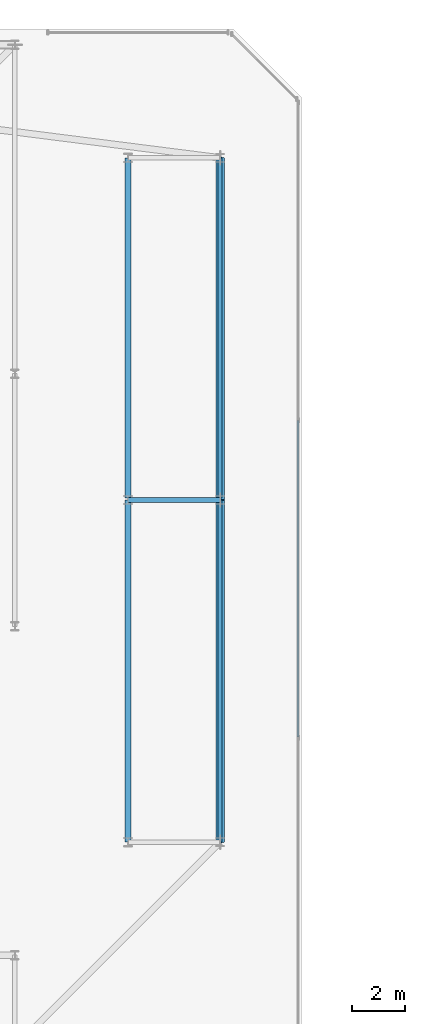
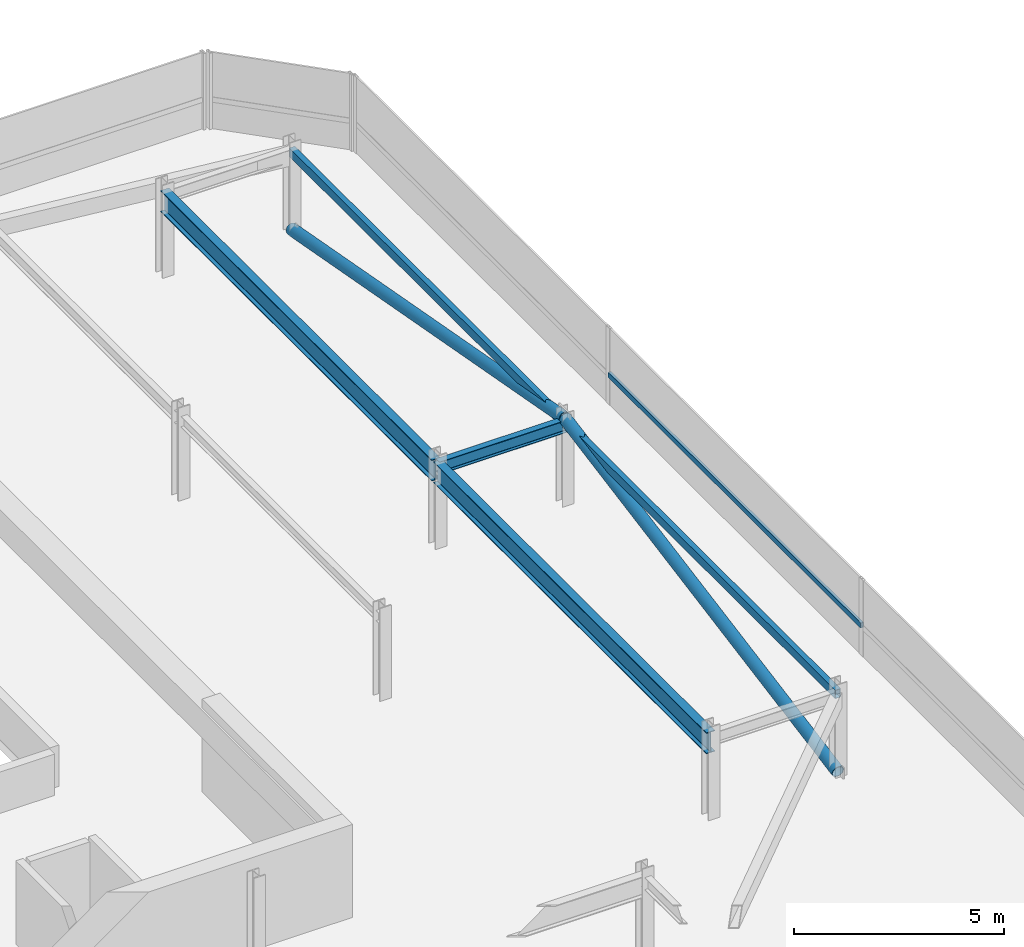
# One storey, part 18 of 42: 5 beams, 3 members, 1 element without a shape of its own.
"""IFC4 building model written with IfcOpenShell, lengths in metres."""

from ifc_helpers import new_model, si_unit, direction, frame, origin, origin_2d, place, context, subcontext, project, spatial, hollow_rectangle, hollow_circle, i_section, extrude, material, material_profile, profile_set, type_object, element, aggregate, save


model = new_model("IFC4")

# Units and contexts
model_context = context("Model", 3, precision=1e-05, world=origin(), true_north=direction((0.0, 1.0)))
body_context = subcontext(model_context, "Body", "Model", "MODEL_VIEW")
ifc_project = project(units=[si_unit("LENGTHUNIT", "METRE"), si_unit("AREAUNIT", "SQUARE_METRE"), si_unit("VOLUMEUNIT", "CUBIC_METRE"), si_unit("PLANEANGLEUNIT", "RADIAN"), si_unit("MASSUNIT", "GRAM", prefix="KILO")], contexts=[model_context])

# Site, building, storey
site_placement = place(None, origin())
site = spatial("IfcSite", under=ifc_project, at=site_placement, CompositionType="ELEMENT")
building_placement = place(site_placement, origin())
building = spatial("IfcBuilding", under=site, at=building_placement, Name="Thornwick Lancets Civic Towers", CompositionType="ELEMENT")
storey_placement = place(building_placement, frame((0.0, 0.0, 284.10009765625)))
storey = spatial("IfcBuildingStorey", under=building, at=storey_placement, Name="C02", CompositionType="ELEMENT", Elevation=284.10009765625)

# Beams
ifc_material_1 = material(Name="Steel S355JR", Category="steel")
ifc_material_profile_1 = material_profile(ifc_material_1, hollow_rectangle(XDim=0.14990234375, YDim=0.25, WallThickness=0.012451171875, at=origin_2d()), Name="RHS 250x150x12.5")
ifc_profile_set_1 = profile_set([ifc_material_profile_1], Name="Steel S355JR")
beam_type_1 = type_object("IfcBeamType", Name="BM_CROWN_RHS250", PredefinedType="BEAM", material=ifc_profile_set_1)
beam_1_placement = place(storey_placement, frame((46.300048828125, 14.0, 2.31494140625), z_axis=(0.0, 1.0, 0.0), x_axis=(-1.0, 0.0, 0.0)))
element("IfcBeam", 1, at=beam_1_placement, inside=storey, type_object=beam_type_1, Name="BM-EDGE-C02-A-S1-1", PredefinedType="BEAM", context=body_context, shape_type="SweptSolid", body=[
    extrude(hollow_rectangle(XDim=0.14990234375, YDim=0.25, WallThickness=0.012451171875, at=origin_2d()), origin(), (0.0, 0.0, 1.0), 13.0),
])
beam_2_placement = place(storey_placement, frame((46.300048828125, 27.080078125, 2.31494140625), z_axis=(0.0, 1.0, 0.0), x_axis=(-1.0, 0.0, 0.0)))
element("IfcBeam", 2, at=beam_2_placement, inside=storey, type_object=beam_type_1, Name="BM-EDGE-C02-A-S1-2", PredefinedType="BEAM", context=body_context, shape_type="SweptSolid", body=[
    extrude(hollow_rectangle(XDim=0.14990234375, YDim=0.25, WallThickness=0.012451171875, at=origin_2d()), origin(), (0.0, 0.0, 1.0), 12.919921875),
])
ifc_material_profile_2 = material_profile(ifc_material_1, i_section(OverallWidth=0.230224609375, OverallDepth=0.6171875, WebThickness=0.01318359375, FlangeThickness=0.022216796875, FilletRadius=0.0126953125, at=origin_2d()), Name="UKB 610x229x140")
ifc_profile_set_2 = profile_set([ifc_material_profile_2], Name="Steel S355JR")
beam_type_2 = type_object("IfcBeamType", Name="BM_GIRD_610_140", PredefinedType="BEAM", material=ifc_profile_set_2)
beam_3_placement = place(storey_placement, frame((42.800048828125, 14.0, 2.13134765625), z_axis=(0.0, 1.0, 0.0), x_axis=(-1.0, 0.0, 0.0)))
element("IfcBeam", 3, at=beam_3_placement, inside=storey, type_object=beam_type_2, Name="BM-SPINE-C02-A-3-4", PredefinedType="BEAM", context=body_context, shape_type="SweptSolid", body=[
    extrude(i_section(OverallWidth=0.230224609375, OverallDepth=0.6171875, WebThickness=0.01318359375, FlangeThickness=0.022216796875, FilletRadius=0.0126953125, at=origin_2d()), origin(), (0.0, 0.0, 1.0), 13.0),
])
beam_4_placement = place(storey_placement, frame((42.800048828125, 27.080078125, 2.13134765625), z_axis=(0.0, 1.0, 0.0), x_axis=(-1.0, 0.0, 0.0)))
element("IfcBeam", 4, at=beam_4_placement, inside=storey, type_object=beam_type_2, Name="BM-SPINE-C02-A-4-5", PredefinedType="BEAM", context=body_context, shape_type="SweptSolid", body=[
    extrude(i_section(OverallWidth=0.230224609375, OverallDepth=0.6171875, WebThickness=0.01318359375, FlangeThickness=0.022216796875, FilletRadius=0.0126953125, at=origin_2d()), origin(), (0.0, 0.0, 1.0), 12.919921875),
])
ifc_material_profile_3 = material_profile(ifc_material_1, i_section(OverallWidth=0.173095703125, OverallDepth=0.36328125, WebThickness=0.009033203125, FlangeThickness=0.015625, FilletRadius=0.01025390625, at=origin_2d()), Name="UKB 356x171x67")
ifc_profile_set_3 = profile_set([ifc_material_profile_3], Name="Steel S355JR")
beam_type_3 = type_object("IfcBeamType", Name="BM_JOIST_356_67", PredefinedType="JOIST", material=ifc_profile_set_3)
beam_5_placement = place(storey_placement, frame((42.800048828125, 27.0, 2.25830078125), z_axis=(1.0, 0.0, 0.0), x_axis=(0.0, 1.0, 0.0)))
element("IfcBeam", 5, at=beam_5_placement, inside=storey, type_object=beam_type_3, Name="BM-RAD-C02-A05", PredefinedType="JOIST", context=body_context, shape_type="SweptSolid", body=[
    extrude(i_section(OverallWidth=0.173095703125, OverallDepth=0.36328125, WebThickness=0.009033203125, FlangeThickness=0.015625, FilletRadius=0.01025390625, at=origin_2d()), origin(), (0.0, 0.0, 1.0), 3.5),
])

# Curtain wall, member
ifc_material_2 = material(Name="Crown ring acoustic-louvre and glazing screen wall", Category="glass")
curtain_wall_type = type_object("IfcCurtainWallType", Name="CW_SYS_07", PredefinedType="NOTDEFINED", material=ifc_material_2)
curtain_wall_placement = place(storey_placement, origin())
curtain_wall = element("IfcCurtainWall", 6, at=curtain_wall_placement, inside=storey, type_object=curtain_wall_type, Name="C02 Curtain Wall CW-C02-A-E2", PredefinedType="NOTDEFINED")
ifc_material_3 = material(Name="Thermally broken bronze aluminium S355", Category="steel")
ifc_material_profile_4 = material_profile(ifc_material_3, hollow_rectangle(XDim=0.074951171875, YDim=0.14990234375, WallThickness=0.0048828125, at=origin_2d()), Name="RHS 150x75x5")
ifc_profile_set_4 = profile_set([ifc_material_profile_4], Name="Thermally broken bronze aluminium S355")
member_type_1 = type_object("IfcMemberType", Name="CW_TRN_150", PredefinedType="USERDEFINED", material=ifc_profile_set_4)
member_placement = place(storey_placement, frame((49.2646484375, 17.986083984375, 0.849853515625), z_axis=(0.0, 1.0, 0.0), x_axis=(-1.0, 0.0, 0.0)))
member = element("IfcMember", 7, at=member_placement, type_object=member_type_1, Name="CW-C02-A-E2 Transom 1", ObjectType="TRANSOM", PredefinedType="USERDEFINED", context=body_context, shape_type="SweptSolid", body=[
    extrude(hollow_rectangle(XDim=0.074951171875, YDim=0.14990234375, WallThickness=0.0048828125, at=origin_2d()), origin(), (0.0, 0.0, 1.0), 12.02783203125),
])
aggregate(curtain_wall, [member])

# Members
ifc_material_profile_5 = material_profile(ifc_material_1, hollow_circle(Radius=0.161865234375, WallThickness=0.01611328125, at=origin_2d()), Name="CHS 323.9x16")
ifc_profile_set_5 = profile_set([ifc_material_profile_5], Name="Steel S355JR")
member_type_2 = type_object("IfcMemberType", Name="MEM_CROWN_CHS324", PredefinedType="BRACE", material=ifc_profile_set_5)
for number, where, z_axis, x_axis, name in (
    (8, (46.300048828125, 14.0, 0.0498046875), (0.0, 0.983515136313, 0.180825818519), (-1.0, 0.0, 0.0), "C02 Crown Ring Lancet Rib A-S1-L"),
    (9, (46.300048828125, 40.0, 0.0498046875), (0.0, -0.983515136313, 0.180825818519), (1.0, 0.0, 0.0), "C02 Crown Ring Lancet Rib A-S1-R"),
):
    element("IfcMember", number, at=place(storey_placement, frame(where, z_axis=z_axis, x_axis=x_axis)), inside=storey, type_object=member_type_2, Name=name, PredefinedType="BRACE", context=body_context, shape_type="SweptSolid", body=[
        extrude(hollow_circle(Radius=0.161865234375, WallThickness=0.01611328125, at=origin_2d()), origin(), (0.0, 0.0, 1.0), 13.2177734375),
    ])

save(model, "model.ifc")
